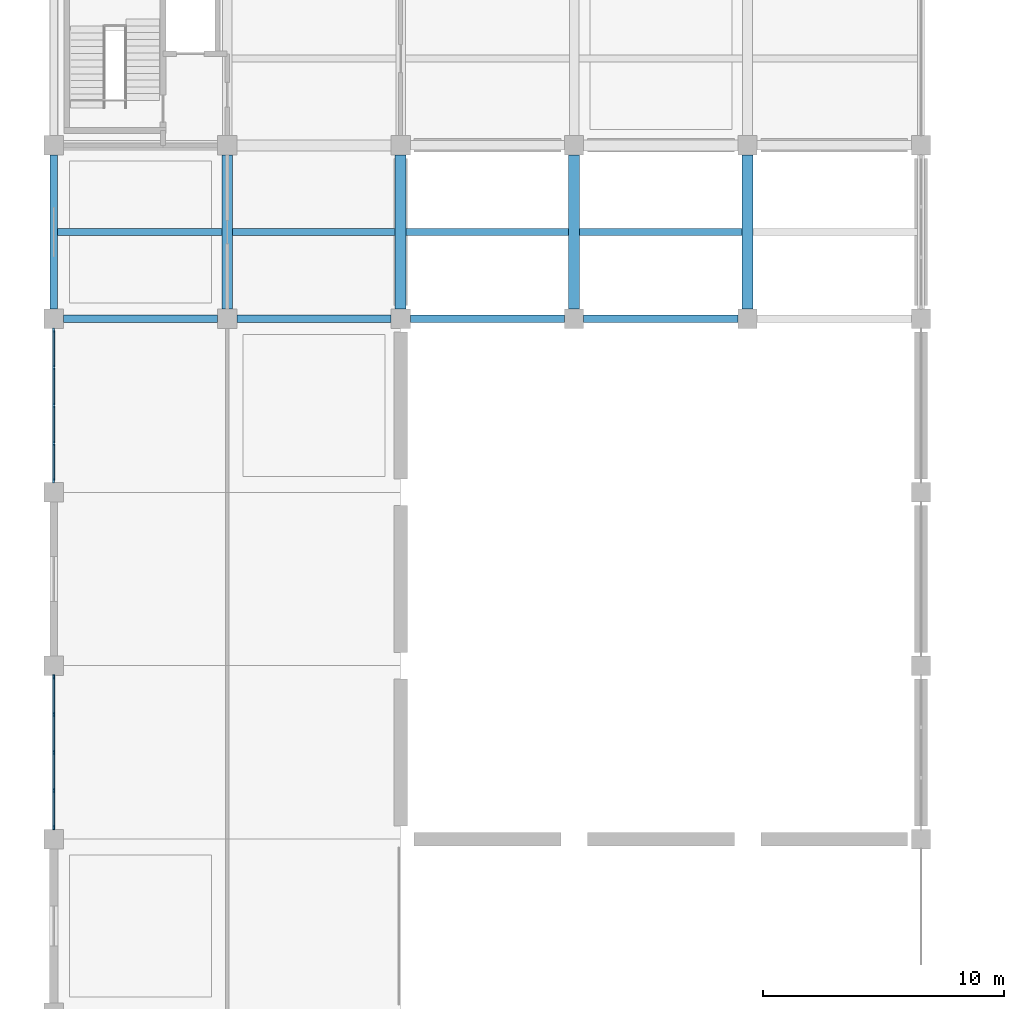
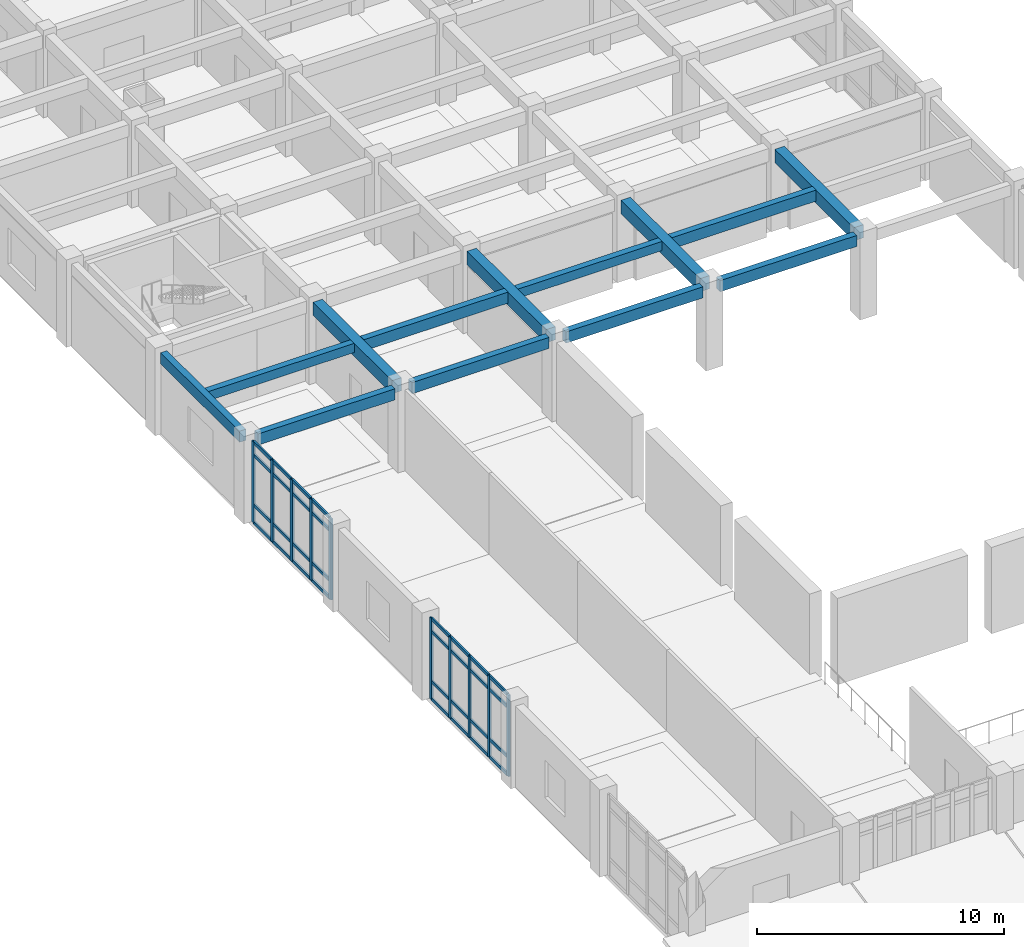
# One storey, part 4 of 70: 42 members, 13 beams, 2 elements without a shape of their own.
"""IFC4 building model written with IfcOpenShell, lengths in metres."""

from ifc_helpers import new_model, si_unit, direction, frame, origin, origin_2d, place, context, subcontext, project, spatial, rectangle, extrude, material, layer, layer_set, material_profile, profile_set, type_object, element, aggregate, save


model = new_model("IFC4")

# Units and contexts
model_context = context("Model", 3, precision=1e-05, world=origin(), true_north=direction((0.0, 1.0)))
body_context = subcontext(model_context, "Body", "Model", "MODEL_VIEW")
ifc_project = project(units=[si_unit("LENGTHUNIT", "METRE"), si_unit("AREAUNIT", "SQUARE_METRE"), si_unit("VOLUMEUNIT", "CUBIC_METRE"), si_unit("PLANEANGLEUNIT", "RADIAN"), si_unit("MASSUNIT", "GRAM", prefix="KILO")], contexts=[model_context])

# Site, building, storey
site_placement = place(None, origin())
site = spatial("IfcSite", under=ifc_project, at=site_placement, CompositionType="ELEMENT")
building_placement = place(site_placement, origin())
building = spatial("IfcBuilding", under=site, at=building_placement, Name="Kavelor Marine Aquarium", CompositionType="ELEMENT")
storey_placement = place(building_placement, frame((0.0, 0.0, 9.179931640625)))
storey = spatial("IfcBuildingStorey", under=building, at=storey_placement, Name="L02", CompositionType="ELEMENT", Elevation=9.179931640625)

# Beams
ifc_material_1 = material(Name="Concrete C40/50", Category="concrete")
ifc_material_profile_1 = material_profile(ifc_material_1, rectangle(XDim=0.449951171875, YDim=0.64990234375, at=origin_2d()), Name="RC-BM 450x650")
ifc_profile_set_1 = profile_set([ifc_material_profile_1], Name="Concrete C40/50")
beam_type_1 = type_object("IfcBeamType", Name="BM-B3", PredefinedType="BEAM", material=ifc_profile_set_1)
for number, where, z_axis, x_axis, name in (
    (1, (10.39990234375, 60.800048828125, 3.695068359375), (0.0, 1.0, 0.0), (-1.0, 0.0, 0.0), "bm:y:L02:L03:01_08"),
    (2, (17.60009765625, 60.800048828125, 3.695068359375), (0.0, 1.0, 0.0), (-1.0, 0.0, 0.0), "bm:y:L02:L03:02_08"),
    (3, (24.800048828125, 60.800048828125, 3.695068359375), (0.0, 1.0, 0.0), (-1.0, 0.0, 0.0), "bm:y:L02:L03:03_08"),
    (4, (32.0, 60.800048828125, 3.695068359375), (0.0, 1.0, 0.0), (-1.0, 0.0, 0.0), "bm:y:L02:L03:04_08"),
):
    element("IfcBeam", number, at=place(storey_placement, frame(where, z_axis=z_axis, x_axis=x_axis)), inside=storey, type_object=beam_type_1, Name=name, PredefinedType="BEAM", context=body_context, shape_type="SweptSolid", body=[
        extrude(rectangle(XDim=0.449951171875, YDim=0.64990234375, at=origin_2d()), origin(), (0.0, 0.0, 1.0), 6.39990234375),
    ])
ifc_material_2 = material(Name="Concrete C40/50", Category="concrete")
ifc_material_profile_2 = material_profile(ifc_material_2, rectangle(XDim=0.300048828125, YDim=0.449951171875, at=origin_2d()), Name="RC-JS 300x450")
ifc_profile_set_2 = profile_set([ifc_material_profile_2], Name="Concrete C40/50")
beam_type_2 = type_object("IfcBeamType", Name="BM-JS1", PredefinedType="JOIST", material=ifc_profile_set_2)
beam_1_placement = place(storey_placement, frame((3.35009765625, 64.0, 3.795166015625), z_axis=(1.0, 0.0, 0.0), x_axis=(0.0, 1.0, 0.0)))
element("IfcBeam", 5, at=beam_1_placement, inside=storey, type_object=beam_type_2, Name="js:L02:L03:00_08", PredefinedType="JOIST", context=body_context, shape_type="SweptSolid", body=[
    extrude(rectangle(XDim=0.300048828125, YDim=0.449951171875, at=origin_2d()), origin(), (0.0, 0.0, 1.0), 6.824951171875),
])
beam_2_placement = place(storey_placement, frame((17.824951171875, 64.0, 3.795166015625), z_axis=(1.0, 0.0, 0.0), x_axis=(0.0, 1.0, 0.0)))
element("IfcBeam", 6, at=beam_2_placement, inside=storey, type_object=beam_type_2, Name="js:L02:L03:02_08", PredefinedType="JOIST", context=body_context, shape_type="SweptSolid", body=[
    extrude(rectangle(XDim=0.300048828125, YDim=0.449951171875, at=origin_2d()), origin(), (0.0, 0.0, 1.0), 6.75),
])
ifc_material_3 = material(Name="Concrete C40/50", Category="concrete")
ifc_material_profile_3 = material_profile(ifc_material_3, rectangle(XDim=0.300048828125, YDim=0.550048828125, at=origin_2d()), Name="RC-JS 300x550")
ifc_profile_set_3 = profile_set([ifc_material_profile_3], Name="Concrete C40/50")
beam_type_3 = type_object("IfcBeamType", Name="BM-JS2", PredefinedType="JOIST", material=ifc_profile_set_3)
for number, where, z_axis, x_axis, name in (
    (7, (10.625, 64.0, 3.76513671875), (1.0, 0.0, 0.0), (0.0, 1.0, 0.0), "js:L02:L03:01_08"),
    (8, (25.02490234375, 64.0, 3.76513671875), (1.0, 0.0, 0.0), (0.0, 1.0, 0.0), "js:L02:L03:03_08"),
):
    element("IfcBeam", number, at=place(storey_placement, frame(where, z_axis=z_axis, x_axis=x_axis)), inside=storey, type_object=beam_type_3, Name=name, PredefinedType="JOIST", context=body_context, shape_type="SweptSolid", body=[
        extrude(rectangle(XDim=0.300048828125, YDim=0.550048828125, at=origin_2d()), origin(), (0.0, 0.0, 1.0), 6.75),
    ])
ifc_material_4 = material(Name="Concrete C40/50", Category="concrete")
ifc_material_profile_4 = material_profile(ifc_material_4, rectangle(XDim=0.300048828125, YDim=0.550048828125, at=origin_2d()), Name="RC-SP 300x550")
ifc_profile_set_4 = profile_set([ifc_material_profile_4], Name="Concrete C40/50")
beam_type_4 = type_object("IfcBeamType", Name="BM-SP2", PredefinedType="SPANDREL", material=ifc_profile_set_4)
for number, where, z_axis, x_axis, name in (
    (9, (3.60009765625, 60.39990234375, 3.7451171875), (1.0, 0.0, 0.0), (0.0, 1.0, 0.0), "bm:x:L02:L03:00_08"),
    (10, (10.800048828125, 60.39990234375, 3.76513671875), (1.0, 0.0, 0.0), (0.0, 1.0, 0.0), "bm:x:L02:L03:01_08"),
    (11, (18.0, 60.39990234375, 3.7451171875), (1.0, 0.0, 0.0), (0.0, 1.0, 0.0), "bm:x:L02:L03:02_08"),
):
    element("IfcBeam", number, at=place(storey_placement, frame(where, z_axis=z_axis, x_axis=x_axis)), inside=storey, type_object=beam_type_4, Name=name, PredefinedType="SPANDREL", context=body_context, shape_type="SweptSolid", body=[
        extrude(rectangle(XDim=0.300048828125, YDim=0.550048828125, at=origin_2d()), origin(), (0.0, 0.0, 1.0), 6.39990234375),
    ])
beam_3_placement = place(storey_placement, frame((25.199951171875, 60.39990234375, 3.76513671875), z_axis=(1.0, 0.0, 0.0), x_axis=(0.0, 1.0, 0.0)))
element("IfcBeam", 12, at=beam_3_placement, inside=storey, type_object=beam_type_4, Name="bm:x:L02:L03:03_08", PredefinedType="SPANDREL", context=body_context, shape_type="SweptSolid", body=[
    extrude(rectangle(XDim=0.300048828125, YDim=0.550048828125, at=origin_2d()), origin(), (0.0, 0.0, 1.0), 6.400146484375),
])
beam_4_placement = place(storey_placement, frame((3.199951171875, 60.800048828125, 3.7451171875), z_axis=(0.0, 1.0, 0.0), x_axis=(-1.0, 0.0, 0.0)))
element("IfcBeam", 13, at=beam_4_placement, inside=storey, type_object=beam_type_4, Name="bm:y:L02:L03:00_08", PredefinedType="SPANDREL", context=body_context, shape_type="SweptSolid", body=[
    extrude(rectangle(XDim=0.300048828125, YDim=0.550048828125, at=origin_2d()), origin(), (0.0, 0.0, 1.0), 6.39990234375),
])

# Curtain wall, members
ifc_material_5 = material(Name="Thermally Broken Aluminium and Low-E Glass", Category="aluminium")
ifc_layer_1 = layer(ifc_material_5, 0.251953125)
ifc_layer_set_1 = layer_set([ifc_layer_1], Name="CW-SYS14")
curtain_wall_type_1 = type_object("IfcCurtainWallType", Name="CW-SYS14", PredefinedType="USERDEFINED", material=ifc_layer_set_1)
curtain_wall_1_placement = place(storey_placement, origin())
curtain_wall_1 = element("IfcCurtainWall", 14, at=curtain_wall_1_placement, inside=storey, type_object=curtain_wall_type_1, Name="cw:y:L02:00_05", ObjectType="Curtain Wall", PredefinedType="USERDEFINED")
ifc_material_6 = material(Name="Anodised Aluminium Alloy 6063-T6", Category="aluminium")
ifc_material_profile_5 = material_profile(ifc_material_6, rectangle(XDim=0.080078125, YDim=0.18505859375, at=origin_2d()), Name="CW-MUL 80x185")
ifc_profile_set_5 = profile_set([ifc_material_profile_5], Name="Anodised Aluminium Alloy 6063-T6")
member_type_1 = type_object("IfcMemberType", Name="CWM-2", PredefinedType="MULLION", material=ifc_profile_set_5)
member_1_placement = place(storey_placement, frame((3.199951171875, 45.5224609375, 0.0), z_axis=(0.0, 0.0, 1.0), x_axis=(1.0, 0.0, 0.0)))
member_1 = element("IfcMember", 15, at=member_1_placement, type_object=member_type_1, Name="CW14 mullion 1", PredefinedType="MULLION", context=body_context, shape_type="SweptSolid", body=[
    extrude(rectangle(XDim=0.080078125, YDim=0.18505859375, at=origin_2d()), origin(), (0.0, 0.0, 1.0), 4.02001953125),
])
member_2_placement = place(storey_placement, frame((3.199951171875, 43.9775390625, 0.0), z_axis=(0.0, 0.0, 1.0), x_axis=(1.0, 0.0, 0.0)))
member_2 = element("IfcMember", 16, at=member_2_placement, type_object=member_type_1, Name="CW14 mullion 2", PredefinedType="MULLION", context=body_context, shape_type="SweptSolid", body=[
    extrude(rectangle(XDim=0.080078125, YDim=0.18505859375, at=origin_2d()), origin(), (0.0, 0.0, 1.0), 4.02001953125),
])
member_3_placement = place(storey_placement, frame((3.199951171875, 42.39990234375, 0.0), z_axis=(0.0, 0.0, 1.0), x_axis=(1.0, 0.0, 0.0)))
member_3 = element("IfcMember", 17, at=member_3_placement, type_object=member_type_1, Name="CW14 mullion 3", PredefinedType="MULLION", context=body_context, shape_type="SweptSolid", body=[
    extrude(rectangle(XDim=0.080078125, YDim=0.18505859375, at=origin_2d()), origin(), (0.0, 0.0, 1.0), 4.02001953125),
])
member_4_placement = place(storey_placement, frame((3.199951171875, 40.822509765625, 0.0), z_axis=(0.0, 0.0, 1.0), x_axis=(1.0, 0.0, 0.0)))
member_4 = element("IfcMember", 18, at=member_4_placement, type_object=member_type_1, Name="CW14 mullion 4", PredefinedType="MULLION", context=body_context, shape_type="SweptSolid", body=[
    extrude(rectangle(XDim=0.080078125, YDim=0.18505859375, at=origin_2d()), origin(), (0.0, 0.0, 1.0), 4.02001953125),
])
member_5_placement = place(storey_placement, frame((3.199951171875, 39.277587890625, 0.0), z_axis=(0.0, 0.0, 1.0), x_axis=(1.0, 0.0, 0.0)))
member_5 = element("IfcMember", 19, at=member_5_placement, type_object=member_type_1, Name="CW14 mullion 5", PredefinedType="MULLION", context=body_context, shape_type="SweptSolid", body=[
    extrude(rectangle(XDim=0.080078125, YDim=0.18505859375, at=origin_2d()), origin(), (0.0, 0.0, 1.0), 4.02001953125),
])

ifc_material_7 = material(Name="Thermally Broken Aluminium and Low-E Glass", Category="aluminium")
ifc_layer_2 = layer(ifc_material_7, 0.260009765625)
ifc_layer_set_2 = layer_set([ifc_layer_2], Name="CW-SYS15")
curtain_wall_type_2 = type_object("IfcCurtainWallType", Name="CW-SYS15", PredefinedType="USERDEFINED", material=ifc_layer_set_2)
curtain_wall_2_placement = place(storey_placement, origin())
curtain_wall_2 = element("IfcCurtainWall", 20, at=curtain_wall_2_placement, inside=storey, type_object=curtain_wall_type_2, Name="cw:y:L02:00_07", ObjectType="Curtain Wall", PredefinedType="USERDEFINED")
ifc_material_8 = material(Name="Anodised Aluminium Alloy 6063-T6", Category="aluminium")
ifc_material_profile_6 = material_profile(ifc_material_8, rectangle(XDim=0.0849609375, YDim=0.18994140625, at=origin_2d()), Name="CW-MUL 85x190")
ifc_profile_set_6 = profile_set([ifc_material_profile_6], Name="Anodised Aluminium Alloy 6063-T6")
member_type_2 = type_object("IfcMemberType", Name="CWM-3", PredefinedType="MULLION", material=ifc_profile_set_6)
member_6_placement = place(storey_placement, frame((3.199951171875, 59.925048828125, 0.0), z_axis=(0.0, 0.0, 1.0), x_axis=(1.0, 0.0, 0.0)))
member_6 = element("IfcMember", 21, at=member_6_placement, type_object=member_type_2, Name="CW15 mullion 1", PredefinedType="MULLION", context=body_context, shape_type="SweptSolid", body=[
    extrude(rectangle(XDim=0.0849609375, YDim=0.18994140625, at=origin_2d()), origin(), (0.0, 0.0, 1.0), 4.02001953125),
])
member_7_placement = place(storey_placement, frame((3.199951171875, 58.37744140625, 0.0), z_axis=(0.0, 0.0, 1.0), x_axis=(1.0, 0.0, 0.0)))
member_7 = element("IfcMember", 22, at=member_7_placement, type_object=member_type_2, Name="CW15 mullion 2", PredefinedType="MULLION", context=body_context, shape_type="SweptSolid", body=[
    extrude(rectangle(XDim=0.0849609375, YDim=0.18994140625, at=origin_2d()), origin(), (0.0, 0.0, 1.0), 4.02001953125),
])
member_8_placement = place(storey_placement, frame((3.199951171875, 56.800048828125, 0.0), z_axis=(0.0, 0.0, 1.0), x_axis=(1.0, 0.0, 0.0)))
member_8 = element("IfcMember", 23, at=member_8_placement, type_object=member_type_2, Name="CW15 mullion 3", PredefinedType="MULLION", context=body_context, shape_type="SweptSolid", body=[
    extrude(rectangle(XDim=0.0849609375, YDim=0.18994140625, at=origin_2d()), origin(), (0.0, 0.0, 1.0), 4.02001953125),
])
member_9_placement = place(storey_placement, frame((3.199951171875, 55.222412109375, 0.0), z_axis=(0.0, 0.0, 1.0), x_axis=(1.0, 0.0, 0.0)))
member_9 = element("IfcMember", 24, at=member_9_placement, type_object=member_type_2, Name="CW15 mullion 4", PredefinedType="MULLION", context=body_context, shape_type="SweptSolid", body=[
    extrude(rectangle(XDim=0.0849609375, YDim=0.18994140625, at=origin_2d()), origin(), (0.0, 0.0, 1.0), 4.02001953125),
])
member_10_placement = place(storey_placement, frame((3.199951171875, 53.675048828125, 0.0), z_axis=(0.0, 0.0, 1.0), x_axis=(1.0, 0.0, 0.0)))
member_10 = element("IfcMember", 25, at=member_10_placement, type_object=member_type_2, Name="CW15 mullion 5", PredefinedType="MULLION", context=body_context, shape_type="SweptSolid", body=[
    extrude(rectangle(XDim=0.0849609375, YDim=0.18994140625, at=origin_2d()), origin(), (0.0, 0.0, 1.0), 4.02001953125),
])

# Member
ifc_material_9 = material(Name="Anodised Aluminium Alloy 6063-T6", Category="aluminium")
ifc_material_profile_7 = material_profile(ifc_material_9, rectangle(XDim=0.080078125, YDim=0.155029296875, at=origin_2d()), Name="CW-TRN 80x155")
ifc_profile_set_7 = profile_set([ifc_material_profile_7], Name="Anodised Aluminium Alloy 6063-T6")
member_type_3 = type_object("IfcMemberType", Name="CWT-2", PredefinedType="USERDEFINED", material=ifc_profile_set_7)
member_11_placement = place(storey_placement, frame((3.199951171875, 45.489990234375, 0.032470703125), z_axis=(0.0, -1.0, 0.0), x_axis=(1.0, 0.0, 0.0)))
member_11 = element("IfcMember", 26, at=member_11_placement, type_object=member_type_3, Name="CW14 transom 1.1", ObjectType="TRANSOM", PredefinedType="USERDEFINED", context=body_context, shape_type="SweptSolid", body=[
    extrude(rectangle(XDim=0.080078125, YDim=0.155029296875, at=origin_2d()), origin(), (0.0, 0.0, 1.0), 1.47998046875),
])

member_12_placement = place(storey_placement, frame((3.199951171875, 45.489990234375, 0.900146484375), z_axis=(0.0, -1.0, 0.0), x_axis=(1.0, 0.0, 0.0)))
member_12 = element("IfcMember", 27, at=member_12_placement, type_object=member_type_3, Name="CW14 transom 1.2", ObjectType="TRANSOM", PredefinedType="USERDEFINED", context=body_context, shape_type="SweptSolid", body=[
    extrude(rectangle(XDim=0.080078125, YDim=0.155029296875, at=origin_2d()), origin(), (0.0, 0.0, 1.0), 1.47998046875),
])

member_13_placement = place(storey_placement, frame((3.199951171875, 45.489990234375, 3.3701171875), z_axis=(0.0, -1.0, 0.0), x_axis=(1.0, 0.0, 0.0)))
member_13 = element("IfcMember", 28, at=member_13_placement, type_object=member_type_3, Name="CW14 transom 1.3", ObjectType="TRANSOM", PredefinedType="USERDEFINED", context=body_context, shape_type="SweptSolid", body=[
    extrude(rectangle(XDim=0.080078125, YDim=0.155029296875, at=origin_2d()), origin(), (0.0, 0.0, 1.0), 1.47998046875),
])

member_14_placement = place(storey_placement, frame((3.199951171875, 45.489990234375, 3.987548828125), z_axis=(0.0, -1.0, 0.0), x_axis=(1.0, 0.0, 0.0)))
member_14 = element("IfcMember", 29, at=member_14_placement, type_object=member_type_3, Name="CW14 transom 1.4", ObjectType="TRANSOM", PredefinedType="USERDEFINED", context=body_context, shape_type="SweptSolid", body=[
    extrude(rectangle(XDim=0.080078125, YDim=0.155029296875, at=origin_2d()), origin(), (0.0, 0.0, 1.0), 1.47998046875),
])

member_15_placement = place(storey_placement, frame((3.199951171875, 43.945068359375, 0.032470703125), z_axis=(0.0, -1.0, 0.0), x_axis=(1.0, 0.0, 0.0)))
member_15 = element("IfcMember", 30, at=member_15_placement, type_object=member_type_3, Name="CW14 transom 2.1", ObjectType="TRANSOM", PredefinedType="USERDEFINED", context=body_context, shape_type="SweptSolid", body=[
    extrude(rectangle(XDim=0.080078125, YDim=0.155029296875, at=origin_2d()), origin(), (0.0, 0.0, 1.0), 1.512451171875),
])

member_16_placement = place(storey_placement, frame((3.199951171875, 43.945068359375, 0.900146484375), z_axis=(0.0, -1.0, 0.0), x_axis=(1.0, 0.0, 0.0)))
member_16 = element("IfcMember", 31, at=member_16_placement, type_object=member_type_3, Name="CW14 transom 2.2", ObjectType="TRANSOM", PredefinedType="USERDEFINED", context=body_context, shape_type="SweptSolid", body=[
    extrude(rectangle(XDim=0.080078125, YDim=0.155029296875, at=origin_2d()), origin(), (0.0, 0.0, 1.0), 1.512451171875),
])

member_17_placement = place(storey_placement, frame((3.199951171875, 43.945068359375, 3.3701171875), z_axis=(0.0, -1.0, 0.0), x_axis=(1.0, 0.0, 0.0)))
member_17 = element("IfcMember", 32, at=member_17_placement, type_object=member_type_3, Name="CW14 transom 2.3", ObjectType="TRANSOM", PredefinedType="USERDEFINED", context=body_context, shape_type="SweptSolid", body=[
    extrude(rectangle(XDim=0.080078125, YDim=0.155029296875, at=origin_2d()), origin(), (0.0, 0.0, 1.0), 1.512451171875),
])

member_18_placement = place(storey_placement, frame((3.199951171875, 43.945068359375, 3.987548828125), z_axis=(0.0, -1.0, 0.0), x_axis=(1.0, 0.0, 0.0)))
member_18 = element("IfcMember", 33, at=member_18_placement, type_object=member_type_3, Name="CW14 transom 2.4", ObjectType="TRANSOM", PredefinedType="USERDEFINED", context=body_context, shape_type="SweptSolid", body=[
    extrude(rectangle(XDim=0.080078125, YDim=0.155029296875, at=origin_2d()), origin(), (0.0, 0.0, 1.0), 1.512451171875),
])

member_19_placement = place(storey_placement, frame((3.199951171875, 42.367431640625, 0.032470703125), z_axis=(0.0, -1.0, 0.0), x_axis=(1.0, 0.0, 0.0)))
member_19 = element("IfcMember", 34, at=member_19_placement, type_object=member_type_3, Name="CW14 transom 3.1", ObjectType="TRANSOM", PredefinedType="USERDEFINED", context=body_context, shape_type="SweptSolid", body=[
    extrude(rectangle(XDim=0.080078125, YDim=0.155029296875, at=origin_2d()), origin(), (0.0, 0.0, 1.0), 1.512451171875),
])

member_20_placement = place(storey_placement, frame((3.199951171875, 42.367431640625, 0.900146484375), z_axis=(0.0, -1.0, 0.0), x_axis=(1.0, 0.0, 0.0)))
member_20 = element("IfcMember", 35, at=member_20_placement, type_object=member_type_3, Name="CW14 transom 3.2", ObjectType="TRANSOM", PredefinedType="USERDEFINED", context=body_context, shape_type="SweptSolid", body=[
    extrude(rectangle(XDim=0.080078125, YDim=0.155029296875, at=origin_2d()), origin(), (0.0, 0.0, 1.0), 1.512451171875),
])

member_21_placement = place(storey_placement, frame((3.199951171875, 42.367431640625, 3.3701171875), z_axis=(0.0, -1.0, 0.0), x_axis=(1.0, 0.0, 0.0)))
member_21 = element("IfcMember", 36, at=member_21_placement, type_object=member_type_3, Name="CW14 transom 3.3", ObjectType="TRANSOM", PredefinedType="USERDEFINED", context=body_context, shape_type="SweptSolid", body=[
    extrude(rectangle(XDim=0.080078125, YDim=0.155029296875, at=origin_2d()), origin(), (0.0, 0.0, 1.0), 1.512451171875),
])

member_22_placement = place(storey_placement, frame((3.199951171875, 42.367431640625, 3.987548828125), z_axis=(0.0, -1.0, 0.0), x_axis=(1.0, 0.0, 0.0)))
member_22 = element("IfcMember", 37, at=member_22_placement, type_object=member_type_3, Name="CW14 transom 3.4", ObjectType="TRANSOM", PredefinedType="USERDEFINED", context=body_context, shape_type="SweptSolid", body=[
    extrude(rectangle(XDim=0.080078125, YDim=0.155029296875, at=origin_2d()), origin(), (0.0, 0.0, 1.0), 1.512451171875),
])

member_23_placement = place(storey_placement, frame((3.199951171875, 40.7900390625, 0.032470703125), z_axis=(0.0, -1.0, 0.0), x_axis=(1.0, 0.0, 0.0)))
member_23 = element("IfcMember", 38, at=member_23_placement, type_object=member_type_3, Name="CW14 transom 4.1", ObjectType="TRANSOM", PredefinedType="USERDEFINED", context=body_context, shape_type="SweptSolid", body=[
    extrude(rectangle(XDim=0.080078125, YDim=0.155029296875, at=origin_2d()), origin(), (0.0, 0.0, 1.0), 1.47998046875),
])

member_24_placement = place(storey_placement, frame((3.199951171875, 40.7900390625, 0.900146484375), z_axis=(0.0, -1.0, 0.0), x_axis=(1.0, 0.0, 0.0)))
member_24 = element("IfcMember", 39, at=member_24_placement, type_object=member_type_3, Name="CW14 transom 4.2", ObjectType="TRANSOM", PredefinedType="USERDEFINED", context=body_context, shape_type="SweptSolid", body=[
    extrude(rectangle(XDim=0.080078125, YDim=0.155029296875, at=origin_2d()), origin(), (0.0, 0.0, 1.0), 1.47998046875),
])

member_25_placement = place(storey_placement, frame((3.199951171875, 40.7900390625, 3.3701171875), z_axis=(0.0, -1.0, 0.0), x_axis=(1.0, 0.0, 0.0)))
member_25 = element("IfcMember", 40, at=member_25_placement, type_object=member_type_3, Name="CW14 transom 4.3", ObjectType="TRANSOM", PredefinedType="USERDEFINED", context=body_context, shape_type="SweptSolid", body=[
    extrude(rectangle(XDim=0.080078125, YDim=0.155029296875, at=origin_2d()), origin(), (0.0, 0.0, 1.0), 1.47998046875),
])

member_26_placement = place(storey_placement, frame((3.199951171875, 40.7900390625, 3.987548828125), z_axis=(0.0, -1.0, 0.0), x_axis=(1.0, 0.0, 0.0)))
member_26 = element("IfcMember", 41, at=member_26_placement, type_object=member_type_3, Name="CW14 transom 4.4", ObjectType="TRANSOM", PredefinedType="USERDEFINED", context=body_context, shape_type="SweptSolid", body=[
    extrude(rectangle(XDim=0.080078125, YDim=0.155029296875, at=origin_2d()), origin(), (0.0, 0.0, 1.0), 1.47998046875),
])

aggregate(curtain_wall_1, [member_1, member_2, member_3, member_4, member_5, member_11, member_12, member_13, member_14, member_15, member_16, member_17, member_18, member_19, member_20, member_21, member_22, member_23, member_24, member_25, member_26])

member_27_placement = place(storey_placement, frame((3.199951171875, 59.89501953125, 0.032470703125), z_axis=(0.0, -1.0, 0.0), x_axis=(1.0, 0.0, 0.0)))
member_27 = element("IfcMember", 42, at=member_27_placement, type_object=member_type_3, Name="CW15 transom 1.1", ObjectType="TRANSOM", PredefinedType="USERDEFINED", context=body_context, shape_type="SweptSolid", body=[
    extrude(rectangle(XDim=0.080078125, YDim=0.155029296875, at=origin_2d()), origin(), (0.0, 0.0, 1.0), 1.487548828125),
])

member_28_placement = place(storey_placement, frame((3.199951171875, 59.89501953125, 0.900146484375), z_axis=(0.0, -1.0, 0.0), x_axis=(1.0, 0.0, 0.0)))
member_28 = element("IfcMember", 43, at=member_28_placement, type_object=member_type_3, Name="CW15 transom 1.2", ObjectType="TRANSOM", PredefinedType="USERDEFINED", context=body_context, shape_type="SweptSolid", body=[
    extrude(rectangle(XDim=0.080078125, YDim=0.155029296875, at=origin_2d()), origin(), (0.0, 0.0, 1.0), 1.487548828125),
])

member_29_placement = place(storey_placement, frame((3.199951171875, 59.89501953125, 3.3701171875), z_axis=(0.0, -1.0, 0.0), x_axis=(1.0, 0.0, 0.0)))
member_29 = element("IfcMember", 44, at=member_29_placement, type_object=member_type_3, Name="CW15 transom 1.3", ObjectType="TRANSOM", PredefinedType="USERDEFINED", context=body_context, shape_type="SweptSolid", body=[
    extrude(rectangle(XDim=0.080078125, YDim=0.155029296875, at=origin_2d()), origin(), (0.0, 0.0, 1.0), 1.487548828125),
])

member_30_placement = place(storey_placement, frame((3.199951171875, 59.89501953125, 3.987548828125), z_axis=(0.0, -1.0, 0.0), x_axis=(1.0, 0.0, 0.0)))
member_30 = element("IfcMember", 45, at=member_30_placement, type_object=member_type_3, Name="CW15 transom 1.4", ObjectType="TRANSOM", PredefinedType="USERDEFINED", context=body_context, shape_type="SweptSolid", body=[
    extrude(rectangle(XDim=0.080078125, YDim=0.155029296875, at=origin_2d()), origin(), (0.0, 0.0, 1.0), 1.487548828125),
])

member_31_placement = place(storey_placement, frame((3.199951171875, 58.347412109375, 0.032470703125), z_axis=(0.0, -1.0, 0.0), x_axis=(1.0, 0.0, 0.0)))
member_31 = element("IfcMember", 46, at=member_31_placement, type_object=member_type_3, Name="CW15 transom 2.1", ObjectType="TRANSOM", PredefinedType="USERDEFINED", context=body_context, shape_type="SweptSolid", body=[
    extrude(rectangle(XDim=0.080078125, YDim=0.155029296875, at=origin_2d()), origin(), (0.0, 0.0, 1.0), 1.517333984375),
])

member_32_placement = place(storey_placement, frame((3.199951171875, 58.347412109375, 0.900146484375), z_axis=(0.0, -1.0, 0.0), x_axis=(1.0, 0.0, 0.0)))
member_32 = element("IfcMember", 47, at=member_32_placement, type_object=member_type_3, Name="CW15 transom 2.2", ObjectType="TRANSOM", PredefinedType="USERDEFINED", context=body_context, shape_type="SweptSolid", body=[
    extrude(rectangle(XDim=0.080078125, YDim=0.155029296875, at=origin_2d()), origin(), (0.0, 0.0, 1.0), 1.517333984375),
])

member_33_placement = place(storey_placement, frame((3.199951171875, 58.347412109375, 3.3701171875), z_axis=(0.0, -1.0, 0.0), x_axis=(1.0, 0.0, 0.0)))
member_33 = element("IfcMember", 48, at=member_33_placement, type_object=member_type_3, Name="CW15 transom 2.3", ObjectType="TRANSOM", PredefinedType="USERDEFINED", context=body_context, shape_type="SweptSolid", body=[
    extrude(rectangle(XDim=0.080078125, YDim=0.155029296875, at=origin_2d()), origin(), (0.0, 0.0, 1.0), 1.517333984375),
])

member_34_placement = place(storey_placement, frame((3.199951171875, 58.347412109375, 3.987548828125), z_axis=(0.0, -1.0, 0.0), x_axis=(1.0, 0.0, 0.0)))
member_34 = element("IfcMember", 49, at=member_34_placement, type_object=member_type_3, Name="CW15 transom 2.4", ObjectType="TRANSOM", PredefinedType="USERDEFINED", context=body_context, shape_type="SweptSolid", body=[
    extrude(rectangle(XDim=0.080078125, YDim=0.155029296875, at=origin_2d()), origin(), (0.0, 0.0, 1.0), 1.517333984375),
])

member_35_placement = place(storey_placement, frame((3.199951171875, 56.77001953125, 0.032470703125), z_axis=(0.0, -1.0, 0.0), x_axis=(1.0, 0.0, 0.0)))
member_35 = element("IfcMember", 50, at=member_35_placement, type_object=member_type_3, Name="CW15 transom 3.1", ObjectType="TRANSOM", PredefinedType="USERDEFINED", context=body_context, shape_type="SweptSolid", body=[
    extrude(rectangle(XDim=0.080078125, YDim=0.155029296875, at=origin_2d()), origin(), (0.0, 0.0, 1.0), 1.517578125),
])

member_36_placement = place(storey_placement, frame((3.199951171875, 56.77001953125, 0.900146484375), z_axis=(0.0, -1.0, 0.0), x_axis=(1.0, 0.0, 0.0)))
member_36 = element("IfcMember", 51, at=member_36_placement, type_object=member_type_3, Name="CW15 transom 3.2", ObjectType="TRANSOM", PredefinedType="USERDEFINED", context=body_context, shape_type="SweptSolid", body=[
    extrude(rectangle(XDim=0.080078125, YDim=0.155029296875, at=origin_2d()), origin(), (0.0, 0.0, 1.0), 1.517578125),
])

member_37_placement = place(storey_placement, frame((3.199951171875, 56.77001953125, 3.3701171875), z_axis=(0.0, -1.0, 0.0), x_axis=(1.0, 0.0, 0.0)))
member_37 = element("IfcMember", 52, at=member_37_placement, type_object=member_type_3, Name="CW15 transom 3.3", ObjectType="TRANSOM", PredefinedType="USERDEFINED", context=body_context, shape_type="SweptSolid", body=[
    extrude(rectangle(XDim=0.080078125, YDim=0.155029296875, at=origin_2d()), origin(), (0.0, 0.0, 1.0), 1.517578125),
])

member_38_placement = place(storey_placement, frame((3.199951171875, 56.77001953125, 3.987548828125), z_axis=(0.0, -1.0, 0.0), x_axis=(1.0, 0.0, 0.0)))
member_38 = element("IfcMember", 53, at=member_38_placement, type_object=member_type_3, Name="CW15 transom 3.4", ObjectType="TRANSOM", PredefinedType="USERDEFINED", context=body_context, shape_type="SweptSolid", body=[
    extrude(rectangle(XDim=0.080078125, YDim=0.155029296875, at=origin_2d()), origin(), (0.0, 0.0, 1.0), 1.517578125),
])

member_39_placement = place(storey_placement, frame((3.199951171875, 55.1923828125, 0.032470703125), z_axis=(0.0, -1.0, 0.0), x_axis=(1.0, 0.0, 0.0)))
member_39 = element("IfcMember", 54, at=member_39_placement, type_object=member_type_3, Name="CW15 transom 4.1", ObjectType="TRANSOM", PredefinedType="USERDEFINED", context=body_context, shape_type="SweptSolid", body=[
    extrude(rectangle(XDim=0.080078125, YDim=0.155029296875, at=origin_2d()), origin(), (0.0, 0.0, 1.0), 1.4873046875),
])

member_40_placement = place(storey_placement, frame((3.199951171875, 55.1923828125, 0.900146484375), z_axis=(0.0, -1.0, 0.0), x_axis=(1.0, 0.0, 0.0)))
member_40 = element("IfcMember", 55, at=member_40_placement, type_object=member_type_3, Name="CW15 transom 4.2", ObjectType="TRANSOM", PredefinedType="USERDEFINED", context=body_context, shape_type="SweptSolid", body=[
    extrude(rectangle(XDim=0.080078125, YDim=0.155029296875, at=origin_2d()), origin(), (0.0, 0.0, 1.0), 1.4873046875),
])

member_41_placement = place(storey_placement, frame((3.199951171875, 55.1923828125, 3.3701171875), z_axis=(0.0, -1.0, 0.0), x_axis=(1.0, 0.0, 0.0)))
member_41 = element("IfcMember", 56, at=member_41_placement, type_object=member_type_3, Name="CW15 transom 4.3", ObjectType="TRANSOM", PredefinedType="USERDEFINED", context=body_context, shape_type="SweptSolid", body=[
    extrude(rectangle(XDim=0.080078125, YDim=0.155029296875, at=origin_2d()), origin(), (0.0, 0.0, 1.0), 1.4873046875),
])

member_42_placement = place(storey_placement, frame((3.199951171875, 55.1923828125, 3.987548828125), z_axis=(0.0, -1.0, 0.0), x_axis=(1.0, 0.0, 0.0)))
member_42 = element("IfcMember", 57, at=member_42_placement, type_object=member_type_3, Name="CW15 transom 4.4", ObjectType="TRANSOM", PredefinedType="USERDEFINED", context=body_context, shape_type="SweptSolid", body=[
    extrude(rectangle(XDim=0.080078125, YDim=0.155029296875, at=origin_2d()), origin(), (0.0, 0.0, 1.0), 1.4873046875),
])

aggregate(curtain_wall_2, [member_6, member_7, member_8, member_9, member_10, member_27, member_28, member_29, member_30, member_31, member_32, member_33, member_34, member_35, member_36, member_37, member_38, member_39, member_40, member_41, member_42])

save(model, "model.ifc")
